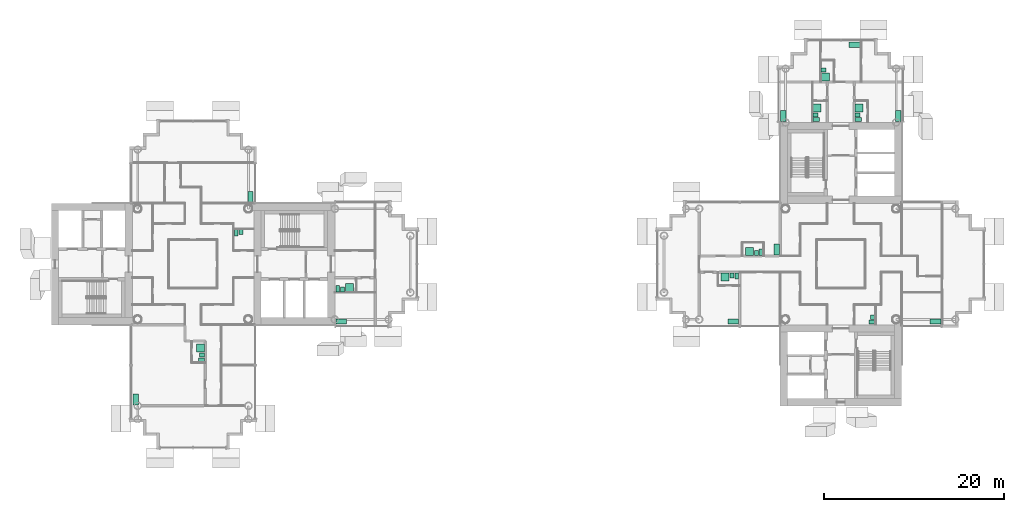
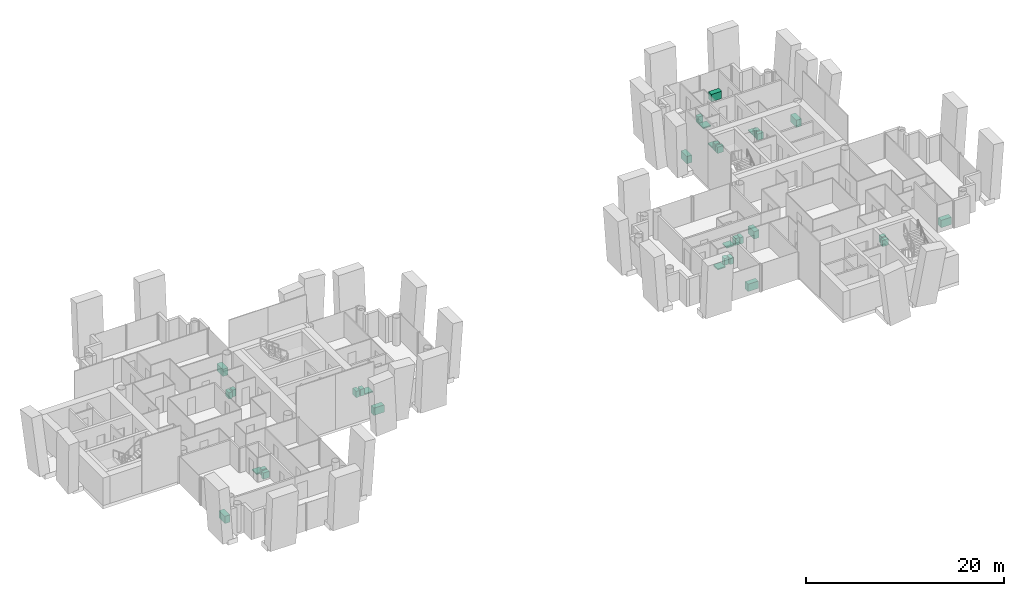
# One storey, part 18 of 18: 33 sanitary terminals.
"""IFC4 building model written with IfcOpenShell, lengths in metres."""

from ifc_helpers import new_model, si_unit, direction, frame, origin, origin_2d, place, context, subcontext, project, spatial, rectangle, extrude, material, type_object, element, save


model = new_model("IFC4")

# Units and contexts
model_context = context("Model", 3, precision=1e-05, world=origin(), true_north=direction((0.0, 1.0)))
body_context = subcontext(model_context, "Body", "Model", "MODEL_VIEW")
ifc_project = project(units=[si_unit("LENGTHUNIT", "METRE"), si_unit("AREAUNIT", "SQUARE_METRE"), si_unit("VOLUMEUNIT", "CUBIC_METRE"), si_unit("PLANEANGLEUNIT", "RADIAN"), si_unit("MASSUNIT", "GRAM", prefix="KILO")], contexts=[model_context])

# Site, building, storey
site_placement = place(None, origin())
site = spatial("IfcSite", under=ifc_project, at=site_placement, CompositionType="ELEMENT")
building_placement = place(site_placement, origin())
building = spatial("IfcBuilding", under=site, at=building_placement, Name="Ipe Terrace Towers", CompositionType="ELEMENT")
storey_placement = place(building_placement, frame((0.0, 0.0, 164.300048828125)))
storey = spatial("IfcBuildingStorey", under=building, at=storey_placement, Name="L45", CompositionType="ELEMENT", Elevation=164.300048828125)

# Sanitary terminals
ifc_material_1 = material(Name="Stainless sink unit", Category="metal")
sanitary_terminal_type_1 = type_object("IfcSanitaryTerminalType", Name="Kitchen sink unit", PredefinedType="SINK", material=ifc_material_1)
for number, where, z_axis, x_axis, name in (
    (1, (-29.6201171875, 7.469970703125, 0.0), (0.0, 0.0, 1.0), (0.0, -1.0, 0.0), "Kitchen sink unit"),
    (2, (-42.3798828125, -15.030029296875, 0.0), (0.0, 0.0, 1.0), (0.0, 1.0, 0.0), "Kitchen sink unit"),
    (3, (-19.530029296875, -6.3798828125, 0.0), (0.0, 0.0, 1.0), (-1.0, 0.0, 0.0), "Kitchen sink unit"),
    (4, (24.030029296875, -6.3798828125, 0.0), (0.0, 0.0, 1.0), (-1.0, 0.0, 0.0), "Kitchen sink unit"),
    (5, (28.8798828125, 1.6201171875, 0.0), (0.0, 0.0, 1.0), (0.0, -1.0, 0.0), "Kitchen sink unit"),
    (6, (46.530029296875, -6.3798828125, 0.0), (0.0, 0.0, 1.0), (-1.0, 0.0, 0.0), "Kitchen sink unit"),
    (7, (29.6201171875, 16.469970703125, 0.0), (0.0, 0.0, 1.0), (0.0, 1.0, 0.0), "Kitchen sink unit"),
    (8, (42.3798828125, 16.469970703125, 0.0), (0.0, 0.0, 1.0), (0.0, -1.0, 0.0), "Kitchen sink unit"),
    (9, (37.530029296875, 24.3798828125, 0.0), (0.0, 0.0, 1.0), (1.0, 0.0, 0.0), "Kitchen sink unit"),
):
    element("IfcSanitaryTerminal", number, at=place(storey_placement, frame(where, z_axis=z_axis, x_axis=x_axis)), inside=storey, type_object=sanitary_terminal_type_1, Name=name, PredefinedType="SINK", context=body_context, shape_type="SweptSolid", body=[
        extrude(rectangle(XDim=1.199951171875, YDim=0.60009765625, at=origin_2d()), origin(), (0.0, 0.0, 1.0), 0.89990234375),
    ])
ifc_material_2 = material(Name="Acrylic", Category="plastic")
sanitary_terminal_type_2 = type_object("IfcSanitaryTerminalType", Name="Shower tray", PredefinedType="SHOWER", material=ifc_material_2)
for number, where, z_axis, x_axis, name in (
    (10, (-35.169921875, -9.330078125, 0.0), (0.0, 0.0, 1.0), (-1.0, 0.0, 0.0), "Shower tray"),
    (11, (-18.6298828125, -2.6298828125, 0.0), (0.0, 0.0, 1.0), (0.0, 1.0, 0.0), "Shower tray"),
    (12, (23.1298828125, -1.419921875, 0.0), (0.0, 0.0, 1.0), (0.0, -1.0, 0.0), "Shower tray"),
    (13, (25.830078125, 1.419921875, 0.0), (0.0, 0.0, 1.0), (0.0, 1.0, 0.0), "Shower tray"),
    (14, (33.3701171875, 17.3701171875, 0.0), (0.0, 0.0, 1.0), (1.0, 0.0, 0.0), "Shower tray"),
    (15, (38.02001953125, 17.3701171875, 0.0), (0.0, 0.0, 1.0), (1.0, 0.0, 0.0), "Shower tray"),
    (16, (34.27001953125, 20.820068359375, 0.0), (0.0, 0.0, 1.0), (1.0, 0.0, 0.0), "Shower tray"),
):
    element("IfcSanitaryTerminal", number, at=place(storey_placement, frame(where, z_axis=z_axis, x_axis=x_axis)), inside=storey, type_object=sanitary_terminal_type_2, Name=name, PredefinedType="SHOWER", context=body_context, shape_type="SweptSolid", body=[
        extrude(rectangle(XDim=0.89990234375, YDim=0.89990234375, at=origin_2d()), origin(), (0.0, 0.0, 1.0), 0.14990234375),
    ])
ifc_material_3 = material(Name="Vitreous china", Category="ceramic")
sanitary_terminal_type_3 = type_object("IfcSanitaryTerminalType", Name="Wash basin", PredefinedType="WASHHANDBASIN", material=ifc_material_3)
for number, where, z_axis, x_axis, name in (
    (17, (-30.655029296875, 3.554931640625, 0.0), (0.0, 0.0, 1.0), (0.0, -1.0, 0.0), "Wash basin"),
    (18, (-34.9951171875, -10.10498046875, 0.0), (0.0, 0.0, 1.0), (-1.0, 0.0, 0.0), "Wash basin"),
    (19, (-19.405029296875, -2.804931640625, 0.0), (0.0, 0.0, 1.0), (0.0, 1.0, 0.0), "Wash basin"),
    (20, (39.554931640625, -5.905029296875, 0.0), (0.0, 0.0, 1.0), (-1.0, 0.0, 0.0), "Wash basin"),
    (21, (23.905029296875, -1.2451171875, 0.0), (0.0, 0.0, 1.0), (0.0, -1.0, 0.0), "Wash basin"),
    (22, (26.60498046875, 1.2451171875, 0.0), (0.0, 0.0, 1.0), (0.0, 1.0, 0.0), "Wash basin"),
    (23, (33.195068359375, 16.594970703125, 0.0), (0.0, 0.0, 1.0), (1.0, 0.0, 0.0), "Wash basin"),
    (24, (37.844970703125, 16.594970703125, 0.0), (0.0, 0.0, 1.0), (1.0, 0.0, 0.0), "Wash basin"),
    (25, (34.094970703125, 21.594970703125, 0.0), (0.0, 0.0, 1.0), (1.0, 0.0, 0.0), "Wash basin"),
):
    element("IfcSanitaryTerminal", number, at=place(storey_placement, frame(where, z_axis=z_axis, x_axis=x_axis)), inside=storey, type_object=sanitary_terminal_type_3, Name=name, PredefinedType="WASHHANDBASIN", context=body_context, shape_type="SweptSolid", body=[
        extrude(rectangle(XDim=0.550048828125, YDim=0.449951171875, at=origin_2d()), origin(), (0.0, 0.0, 1.0), 0.85009765625),
    ])
ifc_material_4 = material(Name="Vitreous china", Category="ceramic")
sanitary_terminal_type_4 = type_object("IfcSanitaryTerminalType", Name="Water closet", PredefinedType="TOILETPAN", material=ifc_material_4)
for number, where, z_axis, x_axis, name in (
    (26, (-31.179931640625, 3.47998046875, 0.0), (0.0, 0.0, 1.0), (0.0, -1.0, 0.0), "Water closet"),
    (27, (-35.070068359375, -10.6298828125, 0.0), (0.0, 0.0, 1.0), (-1.0, 0.0, 0.0), "Water closet"),
    (28, (-19.929931640625, -2.72998046875, 0.0), (0.0, 0.0, 1.0), (0.0, 1.0, 0.0), "Water closet"),
    (29, (39.47998046875, -6.429931640625, 0.0), (0.0, 0.0, 1.0), (-1.0, 0.0, 0.0), "Water closet"),
    (30, (24.429931640625, -1.320068359375, 0.0), (0.0, 0.0, 1.0), (0.0, -1.0, 0.0), "Water closet"),
    (31, (27.1298828125, 1.320068359375, 0.0), (0.0, 0.0, 1.0), (0.0, 1.0, 0.0), "Water closet"),
    (32, (33.27001953125, 16.070068359375, 0.0), (0.0, 0.0, 1.0), (1.0, 0.0, 0.0), "Water closet"),
    (33, (37.919921875, 16.070068359375, 0.0), (0.0, 0.0, 1.0), (1.0, 0.0, 0.0), "Water closet"),
):
    element("IfcSanitaryTerminal", number, at=place(storey_placement, frame(where, z_axis=z_axis, x_axis=x_axis)), inside=storey, type_object=sanitary_terminal_type_4, Name=name, PredefinedType="TOILETPAN", context=body_context, shape_type="SweptSolid", body=[
        extrude(rectangle(XDim=0.699951171875, YDim=0.39990234375, at=origin_2d()), origin(), (0.0, 0.0, 1.0), 0.780029296875),
    ])

save(model, "model.ifc")
